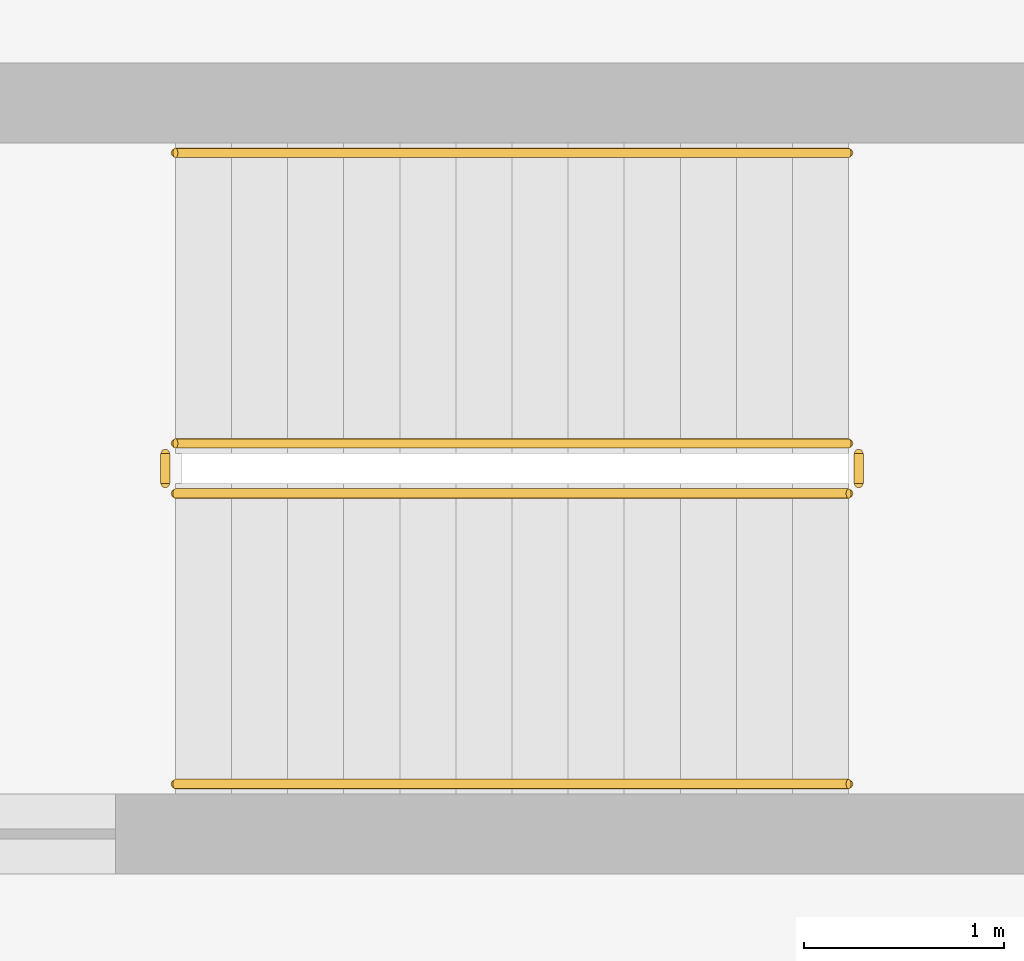
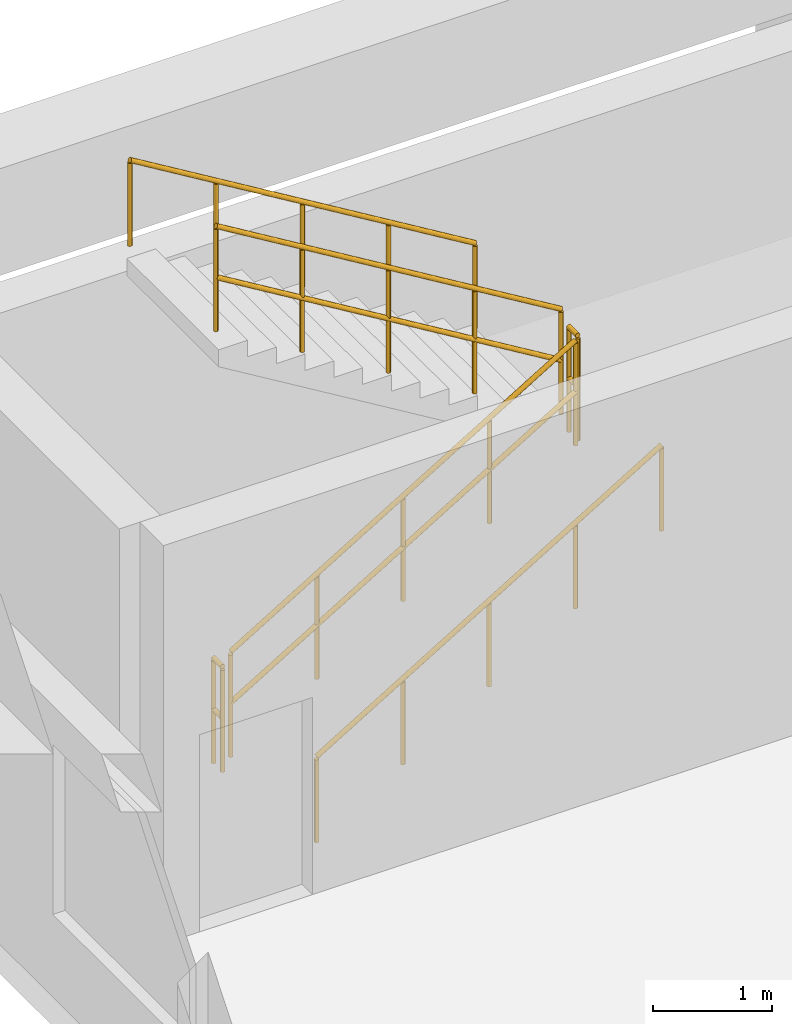
# One storey, part 15 of 16: 6 railings.
"""IFC4 building model written with IfcOpenShell, lengths in metres."""

from ifc_helpers import new_model, si_unit, direction, frame, origin, origin_2d, place, context, subcontext, project, spatial, circle, extrude, material, type_object, element, save


model = new_model("IFC4")

# Units and contexts
model_context = context("Model", 3, precision=1e-05, world=origin(), true_north=direction((0.0, 1.0)))
body_context = subcontext(model_context, "Body", "Model", "MODEL_VIEW")
ifc_project = project(units=[si_unit("LENGTHUNIT", "METRE"), si_unit("AREAUNIT", "SQUARE_METRE"), si_unit("VOLUMEUNIT", "CUBIC_METRE"), si_unit("PLANEANGLEUNIT", "RADIAN"), si_unit("MASSUNIT", "GRAM", prefix="KILO")], contexts=[model_context])

# Site, building, storey
site_placement = place(None, origin())
site = spatial("IfcSite", under=ifc_project, at=site_placement, CompositionType="ELEMENT")
building_placement = place(site_placement, origin())
building = spatial("IfcBuilding", under=site, at=building_placement, Name="Veraguas Prism Commons", CompositionType="ELEMENT")
storey_placement = place(building_placement, frame((0.0, 0.0, 9.60009765625)))
storey = spatial("IfcBuildingStorey", under=building, at=storey_placement, Name="L02", CompositionType="ELEMENT", Elevation=9.60009765625)

# Railings
ifc_material = material(Name="Stainless steel AISI 316", Category="steel")
railing_type_1 = type_object("IfcRailingType", Name="Stair and Ramp Stainless Handrail 900", PredefinedType="HANDRAIL", material=ifc_material)
railing_1_placement = place(storey_placement, frame((4.949951171875, 41.31005859375, 0.169189453125)))
element("IfcRailing", 1, at=railing_1_placement, inside=storey, type_object=railing_type_1, Name="Stair Handrail ST-M2 L02-1", PredefinedType="HANDRAIL", context=body_context, shape_type="SweptSolid", body=[
    extrude(circle(Radius=0.02392578125, at=origin_2d()), frame((0.0, 0.0, 0.8759765625), z_axis=(0.855836976705, 0.0, 0.517245656632), x_axis=(0.0, 1.0, 0.0)), (0.0, 0.0, 1.0), 3.926025390625),
    extrude(circle(Radius=0.02099609375, at=origin_2d()), origin(), (0.0, 0.0, 1.0), 0.851806640625),
    extrude(circle(Radius=0.02099609375, at=origin_2d()), frame((0.840087890625, 0.0, 0.5078125)), (0.0, 0.0, 1.0), 0.851806640625),
    extrude(circle(Radius=0.02099609375, at=origin_2d()), frame((1.68017578125, 0.0, 1.015380859375)), (0.0, 0.0, 1.0), 0.851806640625),
    extrude(circle(Radius=0.02099609375, at=origin_2d()), frame((2.52001953125, 0.0, 1.52294921875)), (0.0, 0.0, 1.0), 0.851806640625),
    extrude(circle(Radius=0.02099609375, at=origin_2d()), frame((3.360107421875, 0.0, 2.03076171875)), (0.0, 0.0, 1.0), 0.851806640625),
])
railing_2_placement = place(storey_placement, frame((8.31005859375, 44.4599609375, 2.369140625)))
element("IfcRailing", 2, at=railing_2_placement, inside=storey, type_object=railing_type_1, Name="Stair Handrail ST-M2 L02-2", PredefinedType="HANDRAIL", context=body_context, shape_type="SweptSolid", body=[
    extrude(circle(Radius=0.02392578125, at=origin_2d()), frame((0.0, 0.0, 0.8759765625), z_axis=(-0.855836976705, 0.0, 0.517245656632), x_axis=(0.0, -1.0, 0.0)), (0.0, 0.0, 1.0), 3.926025390625),
    extrude(circle(Radius=0.02099609375, at=origin_2d()), origin(), (0.0, 0.0, 1.0), 0.851806640625),
    extrude(circle(Radius=0.02099609375, at=origin_2d()), frame((-0.840087890625, 0.0, 0.5078125)), (0.0, 0.0, 1.0), 0.851806640625),
    extrude(circle(Radius=0.02099609375, at=origin_2d()), frame((-1.68017578125, 0.0, 1.015380859375)), (0.0, 0.0, 1.0), 0.851806640625),
    extrude(circle(Radius=0.02099609375, at=origin_2d()), frame((-2.52001953125, 0.0, 1.52294921875)), (0.0, 0.0, 1.0), 0.851806640625),
    extrude(circle(Radius=0.02099609375, at=origin_2d()), frame((-3.360107421875, 0.0, 2.03076171875)), (0.0, 0.0, 1.0), 0.851806640625),
])
railing_type_2 = type_object("IfcRailingType", Name="Stairwell Safety Guardrail 1100", PredefinedType="GUARDRAIL", material=ifc_material)
railing_3_placement = place(storey_placement, frame((4.949951171875, 42.760009765625, 0.169189453125)))
element("IfcRailing", 3, at=railing_3_placement, inside=storey, type_object=railing_type_2, Name="Stair Guard ST-M2 L02-1", PredefinedType="GUARDRAIL", context=body_context, shape_type="SweptSolid", body=[
    extrude(circle(Radius=0.02392578125, at=origin_2d()), frame((0.0, 0.0, 1.076171875), z_axis=(0.855836976705, 0.0, 0.517245656632), x_axis=(0.0, 1.0, 0.0)), (0.0, 0.0, 1.0), 3.926025390625),
    extrude(circle(Radius=0.02392578125, at=origin_2d()), frame((0.0, 0.0, 0.550048828125), z_axis=(0.855836976705, 0.0, 0.517245656632), x_axis=(0.0, 1.0, 0.0)), (0.0, 0.0, 1.0), 3.926025390625),
    extrude(circle(Radius=0.02099609375, at=origin_2d()), origin(), (0.0, 0.0, 1.0), 1.052001953125),
    extrude(circle(Radius=0.02099609375, at=origin_2d()), frame((0.840087890625, 0.0, 0.5078125)), (0.0, 0.0, 1.0), 1.052001953125),
    extrude(circle(Radius=0.02099609375, at=origin_2d()), frame((1.68017578125, 0.0, 1.015380859375)), (0.0, 0.0, 1.0), 1.052001953125),
    extrude(circle(Radius=0.02099609375, at=origin_2d()), frame((2.52001953125, 0.0, 1.52294921875)), (0.0, 0.0, 1.0), 1.052001953125),
    extrude(circle(Radius=0.02099609375, at=origin_2d()), frame((3.360107421875, 0.0, 2.03076171875)), (0.0, 0.0, 1.0), 1.052001953125),
])
railing_4_placement = place(storey_placement, frame((8.360107421875, 42.81005859375, 2.199951171875)))
element("IfcRailing", 4, at=railing_4_placement, inside=storey, type_object=railing_type_2, Name="Stair Guard ST-M2 L02-2", PredefinedType="GUARDRAIL", context=body_context, shape_type="SweptSolid", body=[
    extrude(circle(Radius=0.02392578125, at=origin_2d()), frame((0.0, 0.0, 1.076171875), z_axis=(0.0, 1.0, 0.0), x_axis=(-1.0, 0.0, 0.0)), (0.0, 0.0, 1.0), 0.14990234375),
    extrude(circle(Radius=0.02392578125, at=origin_2d()), frame((0.0, 0.0, 0.550048828125), z_axis=(0.0, 1.0, 0.0), x_axis=(-1.0, 0.0, 0.0)), (0.0, 0.0, 1.0), 0.14990234375),
    extrude(circle(Radius=0.02099609375, at=origin_2d()), origin(), (0.0, 0.0, 1.0), 1.052001953125),
    extrude(circle(Radius=0.02099609375, at=origin_2d()), frame((0.0, 0.14990234375, 0.0)), (0.0, 0.0, 1.0), 1.052001953125),
])
railing_5_placement = place(storey_placement, frame((8.31005859375, 43.010009765625, 2.369140625)))
element("IfcRailing", 5, at=railing_5_placement, inside=storey, type_object=railing_type_2, Name="Stair Guard ST-M2 L02-3", PredefinedType="GUARDRAIL", context=body_context, shape_type="SweptSolid", body=[
    extrude(circle(Radius=0.02392578125, at=origin_2d()), frame((0.0, 0.0, 1.076171875), z_axis=(-0.855836976705, 0.0, 0.517245656632), x_axis=(0.0, -1.0, 0.0)), (0.0, 0.0, 1.0), 3.926025390625),
    extrude(circle(Radius=0.02392578125, at=origin_2d()), frame((0.0, 0.0, 0.550048828125), z_axis=(-0.855836976705, 0.0, 0.517245656632), x_axis=(0.0, -1.0, 0.0)), (0.0, 0.0, 1.0), 3.926025390625),
    extrude(circle(Radius=0.02099609375, at=origin_2d()), origin(), (0.0, 0.0, 1.0), 1.052001953125),
    extrude(circle(Radius=0.02099609375, at=origin_2d()), frame((-0.840087890625, 0.0, 0.5078125)), (0.0, 0.0, 1.0), 1.052001953125),
    extrude(circle(Radius=0.02099609375, at=origin_2d()), frame((-1.68017578125, 0.0, 1.015380859375)), (0.0, 0.0, 1.0), 1.052001953125),
    extrude(circle(Radius=0.02099609375, at=origin_2d()), frame((-2.52001953125, 0.0, 1.52294921875)), (0.0, 0.0, 1.0), 1.052001953125),
    extrude(circle(Radius=0.02099609375, at=origin_2d()), frame((-3.360107421875, 0.0, 2.03076171875)), (0.0, 0.0, 1.0), 1.052001953125),
])
railing_6_placement = place(storey_placement, frame((4.89990234375, 42.81005859375, 0.0)))
element("IfcRailing", 6, at=railing_6_placement, inside=storey, type_object=railing_type_2, Name="Stair Guard ST-M2 L02-4", PredefinedType="GUARDRAIL", context=body_context, shape_type="SweptSolid", body=[
    extrude(circle(Radius=0.02392578125, at=origin_2d()), frame((0.0, 0.0, 1.076171875), z_axis=(0.0, 1.0, 0.0), x_axis=(-1.0, 0.0, 0.0)), (0.0, 0.0, 1.0), 0.14990234375),
    extrude(circle(Radius=0.02392578125, at=origin_2d()), frame((0.0, 0.0, 0.550048828125), z_axis=(0.0, 1.0, 0.0), x_axis=(-1.0, 0.0, 0.0)), (0.0, 0.0, 1.0), 0.14990234375),
    extrude(circle(Radius=0.02099609375, at=origin_2d()), origin(), (0.0, 0.0, 1.0), 1.052001953125),
    extrude(circle(Radius=0.02099609375, at=origin_2d()), frame((0.0, 0.14990234375, 0.0)), (0.0, 0.0, 1.0), 1.052001953125),
])

save(model, "model.ifc")
